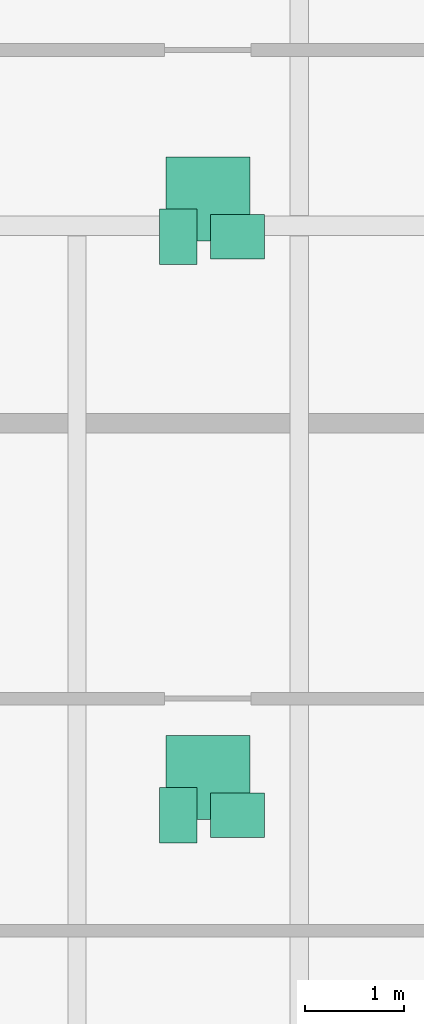
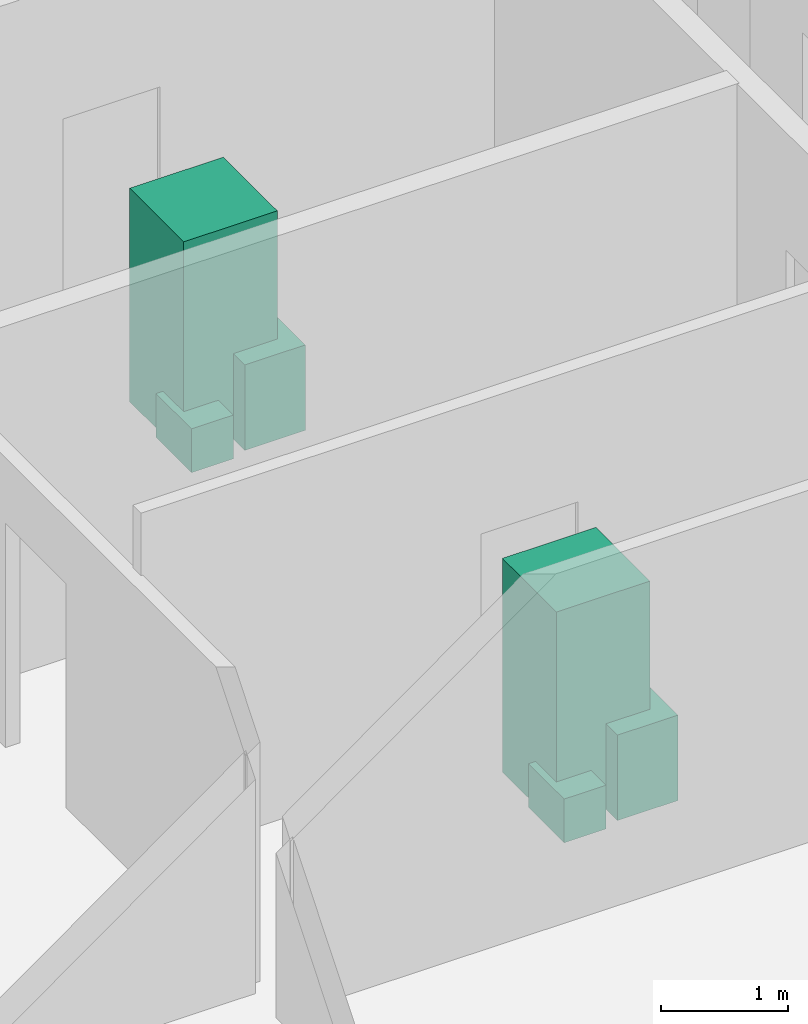
# One storey, part 26 of 26: 6 sanitary terminals.
"""IFC4 building model written with IfcOpenShell, lengths in metres."""

from ifc_helpers import new_model, si_unit, direction, frame, origin, origin_2d, place, context, subcontext, project, spatial, rectangle, extrude, source, transform, mapped, material, type_object, type_shapes, element, save


model = new_model("IFC4")

# Units and contexts
model_context = context("Model", 3, precision=1e-05, world=origin(), true_north=direction((0.0, 1.0)))
body_context = subcontext(model_context, "Body", "Model", "MODEL_VIEW")
ifc_project = project(units=[si_unit("LENGTHUNIT", "METRE"), si_unit("AREAUNIT", "SQUARE_METRE"), si_unit("VOLUMEUNIT", "CUBIC_METRE"), si_unit("PLANEANGLEUNIT", "RADIAN"), si_unit("MASSUNIT", "GRAM", prefix="KILO")], contexts=[model_context])

# Site, building, storey
site_placement = place(None, origin())
site = spatial("IfcSite", under=ifc_project, at=site_placement, CompositionType="ELEMENT")
building_placement = place(site_placement, origin())
building = spatial("IfcBuilding", under=site, at=building_placement, Name="Seokmaru Belvedere", CompositionType="ELEMENT")
storey_placement = place(building_placement, frame((0.0, 0.0, 177.89990234375)))
storey = spatial("IfcBuildingStorey", under=building, at=storey_placement, Name="L47", CompositionType="ELEMENT", Elevation=177.89990234375)

# Sanitary terminals
ifc_material_1 = material(Name="Vitreous China Sanitaryware")
sanitary_terminal_type_1 = type_object("IfcSanitaryTerminalType", Name="Wall-Hung Vitreous China WC Pan", PredefinedType="TOILETPAN", material=ifc_material_1)
shared_shape_1 = source(origin(), body_context, "Body", "SweptSolid", [
    extrude(rectangle(XDim=0.3798828125, YDim=0.56005859375, at=origin_2d()), origin(), (0.0, 0.0, 1.0), 0.419921875),
])
type_shapes(sanitary_terminal_type_1, [shared_shape_1])
for number, where, z_axis, x_axis, name in (
    (1, (-42.22509765625, -10.469970703125, 0.000244140625), (0.0, 0.0, 1.0), (1.0, 0.0, 0.0), "L47 Vitreous China WC 0241"),
    (2, (-42.22509765625, -4.611083984375, 0.000244140625), (0.0, 0.0, 1.0), (1.0, 0.0, 0.0), "L47 Vitreous China WC 0242"),
):
    element("IfcSanitaryTerminal", number, at=place(storey_placement, frame(where, z_axis=z_axis, x_axis=x_axis)), inside=storey, type_object=sanitary_terminal_type_1, Name=name, PredefinedType="TOILETPAN", context=body_context, shape_type="MappedRepresentation", body=[
        mapped(shared_shape_1, transform((0.0, 0.0, 0.0), scale=1.0)),
    ])
sanitary_terminal_type_2 = type_object("IfcSanitaryTerminalType", Name="Countertop Ceramic Washhand Basin", PredefinedType="WASHHANDBASIN", material=ifc_material_1)
shared_shape_2 = source(origin(), body_context, "Body", "SweptSolid", [
    extrude(rectangle(XDim=0.550048828125, YDim=0.449951171875, at=origin_2d()), origin(), (0.0, 0.0, 1.0), 0.820068359375),
])
type_shapes(sanitary_terminal_type_2, [shared_shape_2])
for number, where, z_axis, x_axis, name in (
    (3, (-41.625, -10.469970703125, 0.0), (0.0, 0.0, 1.0), (1.0, 0.0, 0.0), "L47 Ceramic Washhand Basin 0241"),
    (4, (-41.625, -4.611083984375, 0.0), (0.0, 0.0, 1.0), (1.0, 0.0, 0.0), "L47 Ceramic Washhand Basin 0242"),
):
    element("IfcSanitaryTerminal", number, at=place(storey_placement, frame(where, z_axis=z_axis, x_axis=x_axis)), inside=storey, type_object=sanitary_terminal_type_2, Name=name, PredefinedType="WASHHANDBASIN", context=body_context, shape_type="MappedRepresentation", body=[
        mapped(shared_shape_2, transform((0.0, 0.0, 0.0), scale=1.0)),
    ])
ifc_material_2 = material(Name="Stainless Steel 316", Category="steel")
sanitary_terminal_type_3 = type_object("IfcSanitaryTerminalType", Name="Walk-In Thermostatic Rain Shower Enclosure", PredefinedType="SHOWER", material=ifc_material_2)
shared_shape_3 = source(origin(), body_context, "Body", "SweptSolid", [
    extrude(rectangle(XDim=0.85009765625, YDim=0.85009765625, at=origin_2d()), origin(), (0.0, 0.0, 1.0), 2.050048828125),
])
type_shapes(sanitary_terminal_type_3, [shared_shape_3])
for number, where, z_axis, x_axis, name in (
    (5, (-41.925048828125, -10.090087890625, 0.0), (0.0, 0.0, 1.0), (1.0, 0.0, 0.0), "L47 Walk-In Shower 0241"),
    (6, (-41.925048828125, -4.23095703125, 0.0), (0.0, 0.0, 1.0), (1.0, 0.0, 0.0), "L47 Walk-In Shower 0242"),
):
    element("IfcSanitaryTerminal", number, at=place(storey_placement, frame(where, z_axis=z_axis, x_axis=x_axis)), inside=storey, type_object=sanitary_terminal_type_3, Name=name, PredefinedType="SHOWER", context=body_context, shape_type="MappedRepresentation", body=[
        mapped(shared_shape_3, transform((0.0, 0.0, 0.0), scale=1.0)),
    ])

save(model, "model.ifc")
